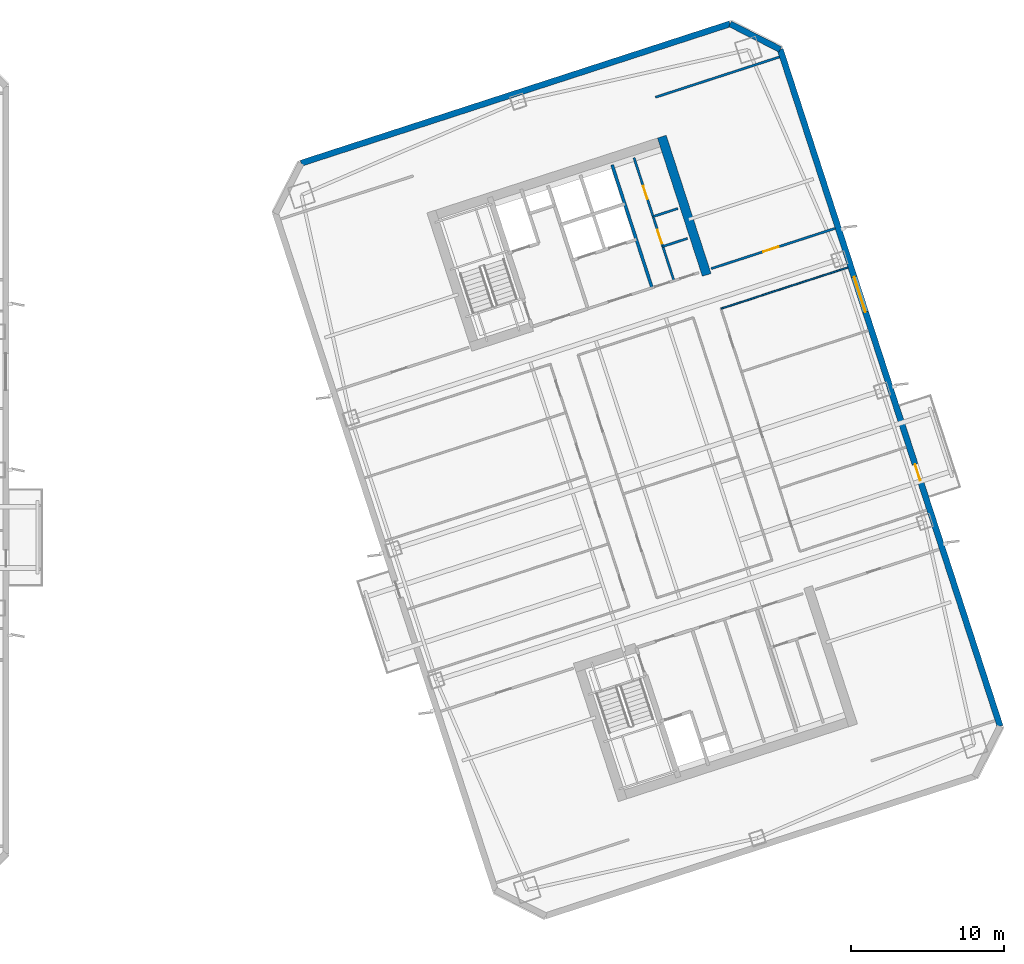
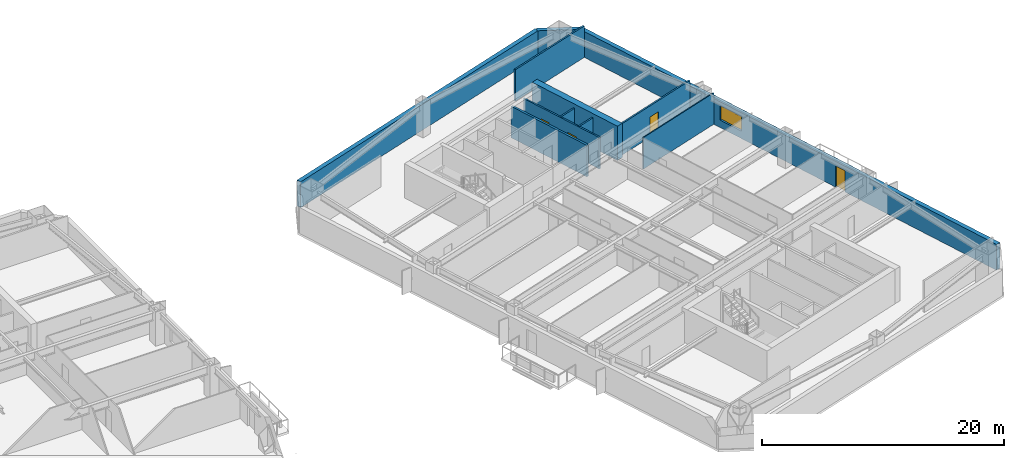
# One storey, part 9 of 16: 11 walls, 4 doors, 1 window, 5 openings.
"""IFC4 building model written with IfcOpenShell, lengths in metres."""

from ifc_helpers import new_model, si_unit, direction, frame, frame_2d, origin, place, context, subcontext, project, spatial, rectangle, extrude, material, layer, layer_set, type_object, element, fill, save


model = new_model("IFC4")

# Units and contexts
model_context = context("Model", 3, precision=1e-05, world=origin(), true_north=direction((0.0, 1.0)))
body_context = subcontext(model_context, "Body", "Model", "MODEL_VIEW")
ifc_project = project(units=[si_unit("LENGTHUNIT", "METRE"), si_unit("AREAUNIT", "SQUARE_METRE"), si_unit("VOLUMEUNIT", "CUBIC_METRE"), si_unit("PLANEANGLEUNIT", "RADIAN"), si_unit("MASSUNIT", "GRAM", prefix="KILO")], contexts=[model_context])

# Site, building, storey
site_placement = place(None, origin())
site = spatial("IfcSite", under=ifc_project, at=site_placement, CompositionType="ELEMENT")
building_placement = place(site_placement, origin())
building = spatial("IfcBuilding", under=site, at=building_placement, Name="Qiaolan Cultural Towers", CompositionType="ELEMENT")
storey_placement = place(building_placement, frame((0.0, 0.0, 110.39990234375)))
storey = spatial("IfcBuildingStorey", under=building, at=storey_placement, Name="L28", CompositionType="ELEMENT", Elevation=110.39990234375)

# Walls
ifc_material_1 = material(Name="Concrete C55", Category="concrete")
ifc_layer_1 = layer(ifc_material_1, 0.60009765625)
ifc_layer_set_1 = layer_set([ifc_layer_1], Name="Concrete C55")
wall_type_1 = type_object("IfcWallType", Name="WL-CORE-600", PredefinedType="SHEAR", material=ifc_layer_set_1)
wall_1_placement = place(storey_placement, frame((94.4921875, 46.710205078125, 0.0), z_axis=(0.0, 0.0, 1.0), x_axis=(-0.309010370028, 0.95105866865, 0.0)))
element("IfcWall", 1, at=wall_1_placement, inside=storey, type_object=wall_type_1, Name="L28 T2-CN East Core Shear Wall", PredefinedType="SHEAR", context=body_context, shape_type="SweptSolid", body=[
    extrude(rectangle(XDim=9.47998046875, YDim=0.60009765625, at=frame_2d((4.739990234375, 0.0))), origin(), (0.0, 0.0, 1.0), 3.4501953125),
])
ifc_material_2 = material(Name="Precast Concrete C50 Honed Stone Pier", Category="masonry")
ifc_layer_2 = layer(ifc_material_2, 0.39990234375)
ifc_layer_set_2 = layer_set([ifc_layer_2], Name="Precast Concrete C50 Honed Stone Pier")
wall_type_2 = type_object("IfcWallType", Name="WL-EXT-PIER-400", PredefinedType="SOLIDWALL", material=ifc_layer_set_2)
wall_2_placement = place(storey_placement, frame((68.046875, 53.99462890625, 0.0), z_axis=(0.0, 0.0, 1.0), x_axis=(0.95105505922, 0.309021478754, 0.0)))
element("IfcWall", 2, at=wall_2_placement, inside=storey, type_object=wall_type_2, Name="L28 East Tower Precast Pier Facade Wall F3", PredefinedType="SOLIDWALL", context=body_context, shape_type="SweptSolid", body=[
    extrude(rectangle(XDim=29.39990234375, YDim=0.39990234375, at=frame_2d((14.699951171875, 0.0))), origin(), (0.0, 0.0, 1.0), 2.610107421875),
])
wall_3_placement = place(storey_placement, frame((96.0078125, 63.079833984375, 0.0), z_axis=(0.0, 0.0, 1.0), x_axis=(0.891001999643, -0.45399937955, 0.0)))
element("IfcWall", 3, at=wall_3_placement, inside=storey, type_object=wall_type_2, Name="L28 East Tower Precast Pier Facade Wall F4", PredefinedType="SOLIDWALL", context=body_context, shape_type="SweptSolid", body=[
    extrude(rectangle(XDim=3.67724609375, YDim=0.39990234375, at=frame_2d((1.838623046875, 0.0))), origin(), (0.0, 0.0, 1.0), 2.610107421875),
])

# Wall, openings, door, window
wall_4_placement = place(storey_placement, frame((99.2841796875, 61.410400390625, 0.0), z_axis=(0.0, 0.0, 1.0), x_axis=(0.309017542002, -0.95105633836, 0.0)))
wall_4 = element("IfcWall", 4, at=wall_4_placement, inside=storey, type_object=wall_type_2, Name="L28 East Tower Precast Pier Facade Wall F5", PredefinedType="SOLIDWALL", context=body_context, shape_type="SweptSolid", body=[
    extrude(rectangle(XDim=46.39990234375, YDim=0.39990234375, at=frame_2d((23.199951171875, 0.0))), origin(), (0.0, 0.0, 1.0), 2.610107421875),
])
opening_1_placement = place(wall_4_placement, frame((15.60009765625, 0.0, 0.75)))
opening_1 = element("IfcOpeningElement", 5, at=opening_1_placement, cuts=wall_4, Name="Opening W-02", PredefinedType="OPENING", context=body_context, shape_type="SweptSolid", body=[
    extrude(rectangle(XDim=2.39990234375, YDim=1.4599609375, at=frame_2d((1.199951171875, 0.72998046875))), frame((0.0, 0.2099609375, 0.0), z_axis=(0.0, -1.0, 0.0), x_axis=(1.0, 0.0, 0.0)), (0.0, 0.0, 1.0), 0.419921875),
])
opening_2_placement = place(wall_4_placement, frame((28.449951171875, 0.0, 0.0)))
opening_2 = element("IfcOpeningElement", 6, at=opening_2_placement, cuts=wall_4, Name="Opening BD-01", PredefinedType="OPENING", context=body_context, shape_type="SweptSolid", body=[
    extrude(rectangle(XDim=1.10009765625, YDim=2.14990234375, at=frame_2d((0.550048828125, 1.074951171875))), frame((0.0, 0.2099609375, 0.0), z_axis=(0.0, -1.0, 0.0), x_axis=(1.0, 0.0, 0.0)), (0.0, 0.0, 1.0), 0.419921875),
])
ifc_material_3 = material(Name="Thermally Broken Aluminium Glazed Terrace Door", Category="aluminium")
door_type_1 = type_object("IfcDoorType", Name="DR-BAL-1100", OperationType="NOTDEFINED", PredefinedType="DOOR", material=ifc_material_3)
door_1_placement = place(opening_2_placement, origin())
door_1 = element("IfcDoor", 7, at=door_1_placement, inside=storey, type_object=door_type_1, Name="L28 T2 East Tree Balcony Door", OperationType="SINGLE_SWING_RIGHT", OverallHeight=2.14990234375, OverallWidth=1.10009765625, PredefinedType="DOOR", context=body_context, shape_type="SweptSolid", body=[
    extrude(rectangle(XDim=1.10009765625, YDim=2.14990234375, at=frame_2d((0.550048828125, 1.074951171875))), frame((0.0, 0.02490234375, 0.0), z_axis=(0.0, -1.0, 0.0), x_axis=(1.0, 0.0, 0.0)), (0.0, 0.0, 1.0), 0.050048828125),
])
fill(opening_2, door_1)
ifc_material_4 = material(Name="Thermally Broken Aluminium Triple Low-E Glazing", Category="aluminium")
window_type = type_object("IfcWindowType", Name="WN-CHIC-2400", PartitioningType="SINGLE_PANEL", PredefinedType="WINDOW", material=ifc_material_4)
window_placement = place(opening_1_placement, origin())
window = element("IfcWindow", 8, at=window_placement, inside=storey, type_object=window_type, Name="L28 T2 E Chicago Bay Window 1", OverallHeight=1.4599609375, OverallWidth=2.39990234375, PartitioningType="TRIPLE_PANEL_VERTICAL", PredefinedType="WINDOW", context=body_context, shape_type="SweptSolid", body=[
    extrude(rectangle(XDim=2.39990234375, YDim=1.4599609375, at=frame_2d((1.199951171875, 0.72998046875))), frame((0.0, 0.030029296875, 0.0), z_axis=(0.0, -1.0, 0.0), x_axis=(1.0, 0.0, 0.0)), (0.0, 0.0, 1.0), 0.06005859375),
])
fill(opening_1, window)

# Walls
ifc_material_5 = material(Name="Concrete C35 Fire Wall", Category="concrete")
ifc_layer_3 = layer(ifc_material_5, 0.199951171875)
ifc_layer_set_3 = layer_set([ifc_layer_3], Name="Concrete C35 Fire Wall")
wall_type_3 = type_object("IfcWallType", Name="WL-FIRE-200", PredefinedType="PARTITIONING", material=ifc_layer_set_3)
wall_5_placement = place(storey_placement, frame((90.92822265625, 45.86767578125, 0.0), z_axis=(0.0, 0.0, 1.0), x_axis=(-0.309042196757, 0.951048327176, 0.0)))
element("IfcWall", 9, at=wall_5_placement, inside=storey, type_object=wall_type_3, Name="L28 T2-CN Lift Core East Wall", PredefinedType="PARTITIONING", context=body_context, shape_type="SweptSolid", body=[
    extrude(rectangle(XDim=8.429931640625, YDim=0.199951171875, at=frame_2d((4.21484375, 0.0))), origin(), (0.0, 0.0, 1.0), 3.175048828125),
])
ifc_material_6 = material(Name="Acoustic Double-Glazed Partition Frame", Category="glass")
ifc_layer_4 = layer(ifc_material_6, 0.10009765625)
ifc_layer_set_4 = layer_set([ifc_layer_4], Name="Acoustic Double-Glazed Partition Frame")
wall_type_4 = type_object("IfcWallType", Name="WL-GLAZED-100", PredefinedType="MOVABLE", material=ifc_layer_set_4)
wall_6_placement = place(storey_placement, frame((95.41796875, 44.508544921875, 0.0), z_axis=(0.0, 0.0, 1.0), x_axis=(0.951055307445, 0.309020714809, 0.0)))
element("IfcWall", 10, at=wall_6_placement, inside=storey, type_object=wall_type_4, Name="L28 T2 Interior Wall", PredefinedType="MOVABLE", context=body_context, shape_type="SweptSolid", body=[
    extrude(rectangle(XDim=8.699951171875, YDim=0.10009765625, at=frame_2d((4.35009765625, 0.0))), origin(), (0.0, 0.0, 1.0), 3.175048828125),
])

# Wall, openings, doors
ifc_material_7 = material(Name="Autoclaved Aerated Concrete Block B06", Category="concrete")
ifc_layer_5 = layer(ifc_material_7, 0.14990234375)
ifc_layer_set_5 = layer_set([ifc_layer_5], Name="Autoclaved Aerated Concrete Block B06")
wall_type_5 = type_object("IfcWallType", Name="WL-PART-150", PredefinedType="PARTITIONING", material=ifc_layer_set_5)
wall_7_placement = place(storey_placement, frame((92.354736328125, 46.3310546875, 0.0), z_axis=(0.0, 0.0, 1.0), x_axis=(-0.309007490203, 0.951059604335, 0.0)))
wall_7 = element("IfcWall", 11, at=wall_7_placement, inside=storey, type_object=wall_type_5, Name="L28 T2-CN Sanitary Corridor Wall", PredefinedType="PARTITIONING", context=body_context, shape_type="SweptSolid", body=[
    extrude(rectangle(XDim=8.43017578125, YDim=0.14990234375, at=frame_2d((4.215087890625, 0.0))), origin(), (0.0, 0.0, 1.0), 3.175048828125),
])
opening_3_placement = place(wall_7_placement, frame((2.550048828125, 0.0, 0.0)))
opening_3 = element("IfcOpeningElement", 12, at=opening_3_placement, cuts=wall_7, Name="Opening ID-05", PredefinedType="OPENING", context=body_context, shape_type="SweptSolid", body=[
    extrude(rectangle(XDim=0.949951171875, YDim=2.050048828125, at=frame_2d((0.47509765625, 1.02490234375))), frame((0.0, 0.0849609375, 0.0), z_axis=(0.0, -1.0, 0.0), x_axis=(1.0, 0.0, 0.0)), (0.0, 0.0, 1.0), 0.169921875),
])
opening_4_placement = place(wall_7_placement, frame((5.60009765625, 0.0, 0.0)))
opening_4 = element("IfcOpeningElement", 13, at=opening_4_placement, cuts=wall_7, Name="Opening ID-06", PredefinedType="OPENING", context=body_context, shape_type="SweptSolid", body=[
    extrude(rectangle(XDim=0.89990234375, YDim=2.050048828125, at=frame_2d((0.449951171875, 1.02490234375))), frame((0.0, 0.0849609375, 0.0), z_axis=(0.0, -1.0, 0.0), x_axis=(1.0, 0.0, 0.0)), (0.0, 0.0, 1.0), 0.169921875),
])
ifc_material_8 = material(Name="Fire-Rated Laminate Core Service Door", Category="timber")
door_type_2 = type_object("IfcDoorType", Name="DR-INT-900", OperationType="NOTDEFINED", PredefinedType="DOOR", material=ifc_material_8)
door_2_placement = place(opening_4_placement, origin())
door_2 = element("IfcDoor", 14, at=door_2_placement, inside=storey, type_object=door_type_2, Name="L28 Staff Restroom Door", OperationType="SINGLE_SWING_RIGHT", OverallHeight=2.050048828125, OverallWidth=0.89990234375, PredefinedType="DOOR", context=body_context, shape_type="SweptSolid", body=[
    extrude(rectangle(XDim=0.89990234375, YDim=2.050048828125, at=frame_2d((0.449951171875, 1.02490234375))), frame((0.0, 0.02490234375, 0.0), z_axis=(0.0, -1.0, 0.0), x_axis=(1.0, 0.0, 0.0)), (0.0, 0.0, 1.0), 0.050048828125),
])
fill(opening_4, door_2)
ifc_material_9 = material(Name="Fire-Rated Laminate Accessible Core Door", Category="timber")
door_type_3 = type_object("IfcDoorType", Name="DR-INT-950", OperationType="NOTDEFINED", PredefinedType="DOOR", material=ifc_material_9)
door_3_placement = place(opening_3_placement, origin())
door_3 = element("IfcDoor", 15, at=door_3_placement, inside=storey, type_object=door_type_3, Name="L28 Accessible Washroom Door", OperationType="SINGLE_SWING_LEFT", OverallHeight=2.050048828125, OverallWidth=0.949951171875, PredefinedType="DOOR", context=body_context, shape_type="SweptSolid", body=[
    extrude(rectangle(XDim=0.949951171875, YDim=2.050048828125, at=frame_2d((0.47509765625, 1.02490234375))), frame((0.0, 0.02490234375, 0.0), z_axis=(0.0, -1.0, 0.0), x_axis=(1.0, 0.0, 0.0)), (0.0, 0.0, 1.0), 0.050048828125),
])
fill(opening_3, door_3)

# Walls
wall_8_placement = place(storey_placement, frame((90.9951171875, 50.515869140625, 0.0), z_axis=(0.0, 0.0, 1.0), x_axis=(0.951040401051, 0.309066587596, 0.0)))
element("IfcWall", 16, at=wall_8_placement, inside=storey, type_object=wall_type_5, Name="L28 T2-CN Restroom Split Wall", PredefinedType="PARTITIONING", context=body_context, shape_type="SweptSolid", body=[
    extrude(rectangle(XDim=1.699951171875, YDim=0.14990234375, at=frame_2d((0.85009765625, 0.0))), origin(), (0.0, 0.0, 1.0), 3.175048828125),
])
wall_9_placement = place(storey_placement, frame((91.62841796875, 48.566162109375, 0.0), z_axis=(0.0, 0.0, 1.0), x_axis=(0.951054116971, 0.309024378638, 0.0)))
element("IfcWall", 17, at=wall_9_placement, inside=storey, type_object=wall_type_5, Name="L28 T2-CN Core Pantry Wall", PredefinedType="PARTITIONING", context=body_context, shape_type="SweptSolid", body=[
    extrude(rectangle(XDim=1.7001953125, YDim=0.14990234375, at=frame_2d((0.85009765625, 0.0))), origin(), (0.0, 0.0, 1.0), 3.175048828125),
])
wall_10_placement = place(storey_placement, frame((91.14892578125, 58.294189453125, 0.0), z_axis=(0.0, 0.0, 1.0), x_axis=(0.951062770994, 0.308997743729, 0.0)))
element("IfcWall", 18, at=wall_10_placement, inside=storey, type_object=wall_type_5, Name="L28 T2 Flank Wall FLK-NE", PredefinedType="PARTITIONING", context=body_context, shape_type="SweptSolid", body=[
    extrude(rectangle(XDim=8.5, YDim=0.14990234375, at=frame_2d((4.25, 0.0))), origin(), (0.0, 0.0, 1.0), 3.175048828125),
])

# Wall, opening, door
wall_11_placement = place(storey_placement, frame((94.77978515625, 47.119140625, 0.0), z_axis=(0.0, 0.0, 1.0), x_axis=(0.951054329824, 0.309023723562, 0.0)))
wall_11 = element("IfcWall", 19, at=wall_11_placement, inside=storey, type_object=wall_type_5, Name="L28 T2 Flank Front FLK-NE", PredefinedType="PARTITIONING", context=body_context, shape_type="SweptSolid", body=[
    extrude(rectangle(XDim=8.5, YDim=0.14990234375, at=frame_2d((4.25, 0.0))), origin(), (0.0, 0.0, 1.0), 3.175048828125),
])
opening_5_placement = place(wall_11_placement, frame((3.570068359375, 0.0, 0.0)))
opening_5 = element("IfcOpeningElement", 20, at=opening_5_placement, cuts=wall_11, Name="Opening ID-07", PredefinedType="OPENING", context=body_context, shape_type="SweptSolid", body=[
    extrude(rectangle(XDim=1.050048828125, YDim=2.050048828125, at=frame_2d((0.52490234375, 1.02490234375))), frame((0.0, 0.0849609375, 0.0), z_axis=(0.0, -1.0, 0.0), x_axis=(1.0, 0.0, 0.0)), (0.0, 0.0, 1.0), 0.169921875),
])
ifc_material_10 = material(Name="Oak Veneer Consultation Door", Category="timber")
door_type_4 = type_object("IfcDoorType", Name="DR-INT-1050", OperationType="NOTDEFINED", PredefinedType="DOOR", material=ifc_material_10)
door_4_placement = place(opening_5_placement, origin())
door_4 = element("IfcDoor", 21, at=door_4_placement, inside=storey, type_object=door_type_4, Name="L28 T2 Corner Studio Door", OperationType="SINGLE_SWING_LEFT", OverallHeight=2.050048828125, OverallWidth=1.050048828125, PredefinedType="DOOR", context=body_context, shape_type="SweptSolid", body=[
    extrude(rectangle(XDim=1.050048828125, YDim=2.050048828125, at=frame_2d((0.52490234375, 1.02490234375))), frame((0.0, 0.02490234375, 0.0), z_axis=(0.0, -1.0, 0.0), x_axis=(1.0, 0.0, 0.0)), (0.0, 0.0, 1.0), 0.050048828125),
])
fill(opening_5, door_4)

save(model, "model.ifc")
